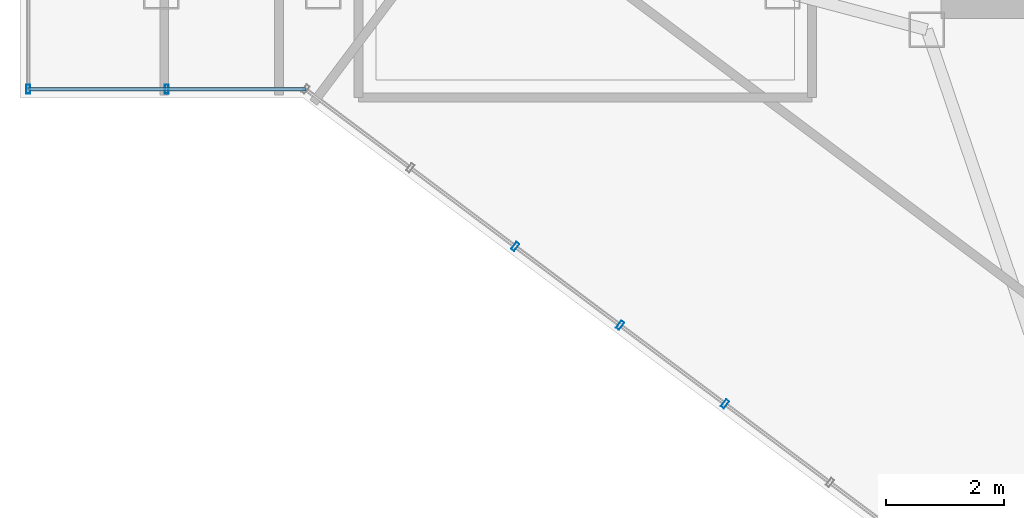
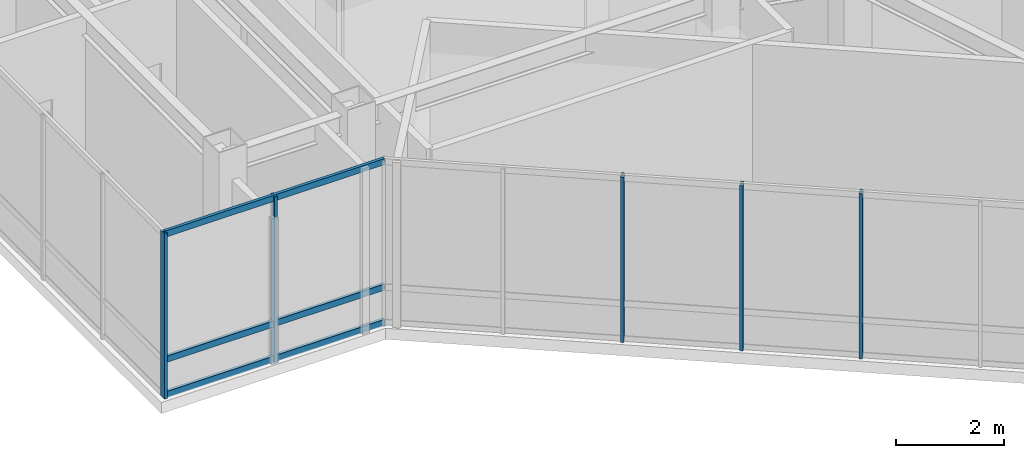
# One storey, part 4 of 29: 8 members, 2 elements without a shape of their own.
"""IFC4 building model written with IfcOpenShell, lengths in metres."""

from ifc_helpers import new_model, si_unit, direction, frame, origin, origin_2d, place, context, subcontext, project, spatial, hollow_rectangle, extrude, material, layer, layer_set, material_profile, profile_set, type_object, element, aggregate, save


model = new_model("IFC4")

# Units and contexts
model_context = context("Model", 3, precision=1e-05, world=origin(), true_north=direction((0.0, 1.0)))
body_context = subcontext(model_context, "Body", "Model", "MODEL_VIEW")
ifc_project = project(units=[si_unit("LENGTHUNIT", "METRE"), si_unit("AREAUNIT", "SQUARE_METRE"), si_unit("VOLUMEUNIT", "CUBIC_METRE"), si_unit("PLANEANGLEUNIT", "RADIAN"), si_unit("MASSUNIT", "GRAM", prefix="KILO")], contexts=[model_context])

# Site, building, storey
site_placement = place(None, origin())
site = spatial("IfcSite", under=ifc_project, at=site_placement, CompositionType="ELEMENT")
building_placement = place(site_placement, origin())
building = spatial("IfcBuilding", under=site, at=building_placement, Name="Hatsunagi Terrace Concourse", CompositionType="ELEMENT")
storey_placement = place(building_placement, frame((0.0, 0.0, 277.949951171875)))
storey = spatial("IfcBuildingStorey", under=building, at=storey_placement, Name="L73", CompositionType="ELEMENT", Elevation=277.949951171875)

# Curtain wall, members
ifc_material_1 = material(Name="Anodised Aluminium Alloy 6063-T5", Category="aluminium")
ifc_layer = layer(ifc_material_1, 0.199951171875)
ifc_layer_set = layer_set([ifc_layer], Name="CrownWintergarden_CW06")
curtain_wall_type = type_object("IfcCurtainWallType", Name="CrownWintergarden_CW06", PredefinedType="NOTDEFINED", material=ifc_layer_set)
curtain_wall_1_placement = place(storey_placement, origin())
curtain_wall_1 = element("IfcCurtainWall", 1, at=curtain_wall_1_placement, inside=storey, type_object=curtain_wall_type, Name="Unitised Curtain Wall CW-06 CW-L73-05", PredefinedType="NOTDEFINED")
ifc_material_2 = material(Name="Anodised Aluminium Alloy 6063-T5", Category="aluminium")
ifc_material_profile_1 = material_profile(ifc_material_2, hollow_rectangle(XDim=0.06494140625, YDim=0.14990234375, WallThickness=0.00390625, at=origin_2d()), Name="ALU-MUL-150x65x4")
ifc_profile_set_1 = profile_set([ifc_material_profile_1], Name="Anodised Aluminium Alloy 6063-T5")
member_type_1 = type_object("IfcMemberType", Name="CurtainWallMullion_Crown_150x65", PredefinedType="MULLION", material=ifc_profile_set_1)
member_1_placement = place(storey_placement, frame((32.373046875, 18.195068359375, 0.0), z_axis=(0.0, 0.0, 1.0), x_axis=(-0.800007305671, 0.599990258982, 0.0)))
member_1 = element("IfcMember", 2, at=member_1_placement, type_object=member_type_1, Name="Curtain Wall Mullion MUL-03", PredefinedType="MULLION", context=body_context, shape_type="SweptSolid", body=[
    extrude(hollow_rectangle(XDim=0.06494140625, YDim=0.14990234375, WallThickness=0.00390625, at=origin_2d()), origin(), (0.0, 0.0, 1.0), 3.739990234375),
])
member_2_placement = place(storey_placement, frame((30.592041015625, 19.531982421875, 0.0), z_axis=(0.0, 0.0, 1.0), x_axis=(-0.800007305671, 0.599990258982, 0.0)))
member_2 = element("IfcMember", 3, at=member_2_placement, type_object=member_type_1, Name="Curtain Wall Mullion MUL-03", PredefinedType="MULLION", context=body_context, shape_type="SweptSolid", body=[
    extrude(hollow_rectangle(XDim=0.06494140625, YDim=0.14990234375, WallThickness=0.00390625, at=origin_2d()), origin(), (0.0, 0.0, 1.0), 3.739990234375),
])
member_3_placement = place(storey_placement, frame((28.81005859375, 20.867919921875, 0.0), z_axis=(0.0, 0.0, 1.0), x_axis=(-0.800007305671, 0.599990258982, 0.0)))
member_3 = element("IfcMember", 4, at=member_3_placement, type_object=member_type_1, Name="Curtain Wall Mullion MUL-03", PredefinedType="MULLION", context=body_context, shape_type="SweptSolid", body=[
    extrude(hollow_rectangle(XDim=0.06494140625, YDim=0.14990234375, WallThickness=0.00390625, at=origin_2d()), origin(), (0.0, 0.0, 1.0), 3.739990234375),
])
aggregate(curtain_wall_1, [member_1, member_2, member_3])

curtain_wall_2_placement = place(storey_placement, origin())
curtain_wall_2 = element("IfcCurtainWall", 5, at=curtain_wall_2_placement, inside=storey, type_object=curtain_wall_type, Name="Unitised Curtain Wall CW-06 CW-L73-06", PredefinedType="NOTDEFINED")
member_4_placement = place(storey_placement, frame((22.89306640625, 23.5400390625, 0.0), z_axis=(0.0, 0.0, 1.0), x_axis=(-1.0, 0.0, 0.0)))
member_4 = element("IfcMember", 6, at=member_4_placement, type_object=member_type_1, Name="Curtain Wall Mullion MUL-03", PredefinedType="MULLION", context=body_context, shape_type="SweptSolid", body=[
    extrude(hollow_rectangle(XDim=0.06494140625, YDim=0.14990234375, WallThickness=0.00390625, at=origin_2d()), origin(), (0.0, 0.0, 1.0), 3.739990234375),
])
member_5_placement = place(storey_placement, frame((20.5400390625, 23.5400390625, 0.0), z_axis=(0.0, 0.0, 1.0), x_axis=(-1.0, 0.0, 0.0)))
member_5 = element("IfcMember", 7, at=member_5_placement, type_object=member_type_1, Name="Curtain Wall Mullion MUL-03", PredefinedType="MULLION", context=body_context, shape_type="SweptSolid", body=[
    extrude(hollow_rectangle(XDim=0.06494140625, YDim=0.14990234375, WallThickness=0.00390625, at=origin_2d()), origin(), (0.0, 0.0, 1.0), 3.739990234375),
])
ifc_material_3 = material(Name="Anodised Aluminium Alloy 6063-T5", Category="aluminium")
ifc_material_profile_2 = material_profile(ifc_material_3, hollow_rectangle(XDim=0.06494140625, YDim=0.139892578125, WallThickness=0.00390625, at=origin_2d()), Name="ALU-TRN-140x65x4")
ifc_profile_set_2 = profile_set([ifc_material_profile_2], Name="Anodised Aluminium Alloy 6063-T5")
member_type_2 = type_object("IfcMemberType", Name="CurtainWallTransom_140x65", PredefinedType="USERDEFINED", material=ifc_profile_set_2)
member_6_placement = place(storey_placement, frame((25.2470703125, 23.5400390625, 0.050048828125), z_axis=(-1.0, 0.0, 0.0), x_axis=(0.0, -1.0, 0.0)))
member_6 = element("IfcMember", 8, at=member_6_placement, type_object=member_type_2, Name="Curtain Wall Transom TRN-02", ObjectType="TRANSOM", PredefinedType="USERDEFINED", context=body_context, shape_type="SweptSolid", body=[
    extrude(hollow_rectangle(XDim=0.06494140625, YDim=0.139892578125, WallThickness=0.00390625, at=origin_2d()), origin(), (0.0, 0.0, 1.0), 4.70703125),
])
member_7_placement = place(storey_placement, frame((25.2470703125, 23.5400390625, 0.85009765625), z_axis=(-1.0, 0.0, 0.0), x_axis=(0.0, -1.0, 0.0)))
member_7 = element("IfcMember", 9, at=member_7_placement, type_object=member_type_2, Name="Curtain Wall Transom TRN-02", ObjectType="TRANSOM", PredefinedType="USERDEFINED", context=body_context, shape_type="SweptSolid", body=[
    extrude(hollow_rectangle(XDim=0.06494140625, YDim=0.139892578125, WallThickness=0.00390625, at=origin_2d()), origin(), (0.0, 0.0, 1.0), 4.70703125),
])
member_8_placement = place(storey_placement, frame((25.2470703125, 23.5400390625, 3.68994140625), z_axis=(-1.0, 0.0, 0.0), x_axis=(0.0, -1.0, 0.0)))
member_8 = element("IfcMember", 10, at=member_8_placement, type_object=member_type_2, Name="Curtain Wall Transom TRN-02", ObjectType="TRANSOM", PredefinedType="USERDEFINED", context=body_context, shape_type="SweptSolid", body=[
    extrude(hollow_rectangle(XDim=0.06494140625, YDim=0.139892578125, WallThickness=0.00390625, at=origin_2d()), origin(), (0.0, 0.0, 1.0), 4.70703125),
])
aggregate(curtain_wall_2, [member_4, member_5, member_6, member_7, member_8])

save(model, "model.ifc")
